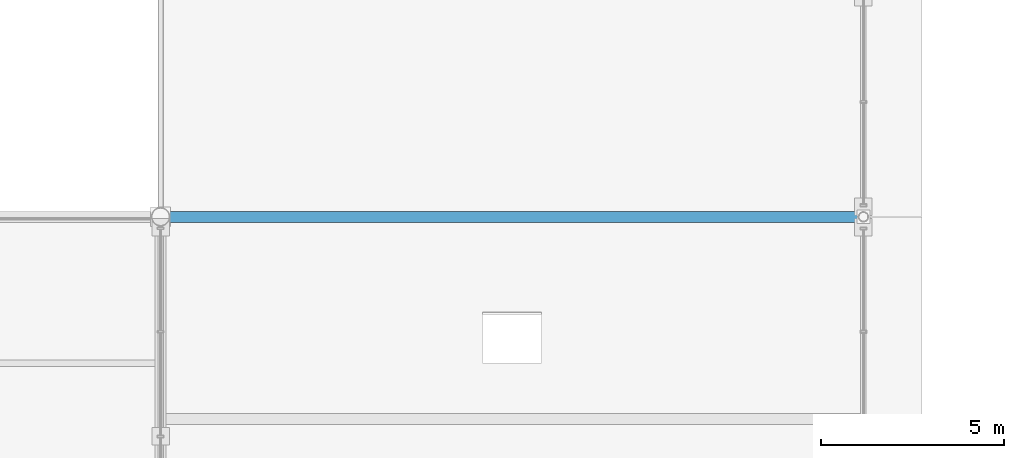
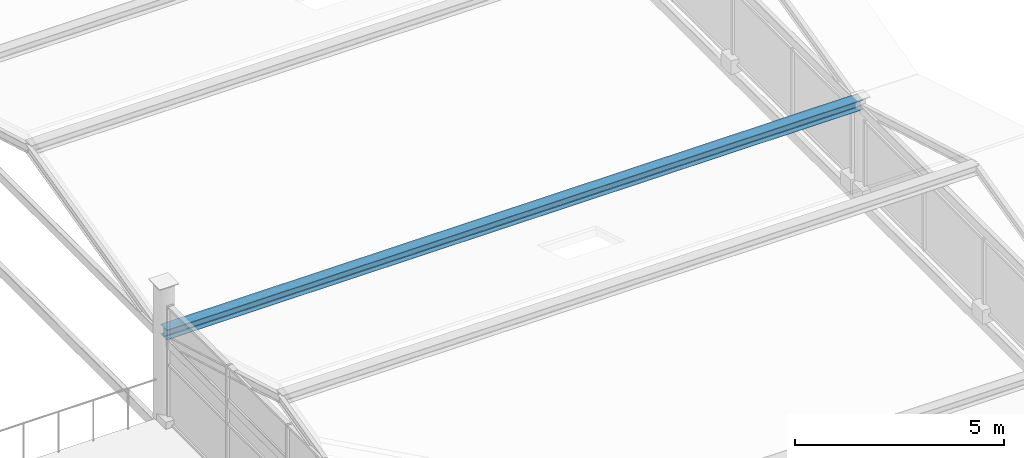
# One storey, part 66 of 117: 1 beam.
"""IFC4 building model written with IfcOpenShell, lengths in metres."""

from ifc_helpers import new_model, si_unit, direction, frame, origin, origin_2d, place, context, subcontext, project, spatial, i_section, extrude, material, material_profile, profile_set, type_object, element, save


model = new_model("IFC4")

# Units and contexts
model_context = context("Model", 3, precision=1e-05, world=origin(), true_north=direction((0.0, 1.0)))
body_context = subcontext(model_context, "Body", "Model", "MODEL_VIEW")
ifc_project = project(units=[si_unit("LENGTHUNIT", "METRE"), si_unit("AREAUNIT", "SQUARE_METRE"), si_unit("VOLUMEUNIT", "CUBIC_METRE"), si_unit("PLANEANGLEUNIT", "RADIAN"), si_unit("MASSUNIT", "GRAM", prefix="KILO")], contexts=[model_context])

# Site, building, storey
site_placement = place(None, origin())
site = spatial("IfcSite", under=ifc_project, at=site_placement, CompositionType="ELEMENT")
building_placement = place(site_placement, origin())
building = spatial("IfcBuilding", under=site, at=building_placement, Name="Merenkruunu Market Hall", CompositionType="ELEMENT")
storey_placement = place(building_placement, frame((0.0, 0.0, 10.199951171875)))
storey = spatial("IfcBuildingStorey", under=building, at=storey_placement, Name="L02", CompositionType="ELEMENT", Elevation=10.199951171875)

# Beam
ifc_material = material(Name="Steel S355J2", Category="steel")
ifc_material_profile = material_profile(ifc_material, i_section(OverallWidth=0.300048828125, OverallDepth=0.2900390625, WebThickness=0.008544921875, FlangeThickness=0.013916015625, FilletRadius=0.027099609375, at=origin_2d()), Name="HEA 300")
ifc_profile_set = profile_set([ifc_material_profile], Name="Steel S355J2")
beam_type = type_object("IfcBeamType", Name="Primary Floor Girder B09", PredefinedType="BEAM", material=ifc_profile_set)
beam_placement = place(storey_placement, frame((57.60009765625, 75.60009765625, 2.43505859375), z_axis=(1.0, 0.0, 0.0), x_axis=(0.0, 1.0, 0.0)))
element("IfcBeam", 1, at=beam_placement, inside=storey, type_object=beam_type, Name="BM-L02-B09-1304", PredefinedType="BEAM", context=body_context, shape_type="SweptSolid", body=[
    extrude(i_section(OverallWidth=0.300048828125, OverallDepth=0.2900390625, WebThickness=0.008544921875, FlangeThickness=0.013916015625, FilletRadius=0.027099609375, at=origin_2d()), origin(), (0.0, 0.0, 1.0), 19.199951171875),
])

save(model, "model.ifc")
